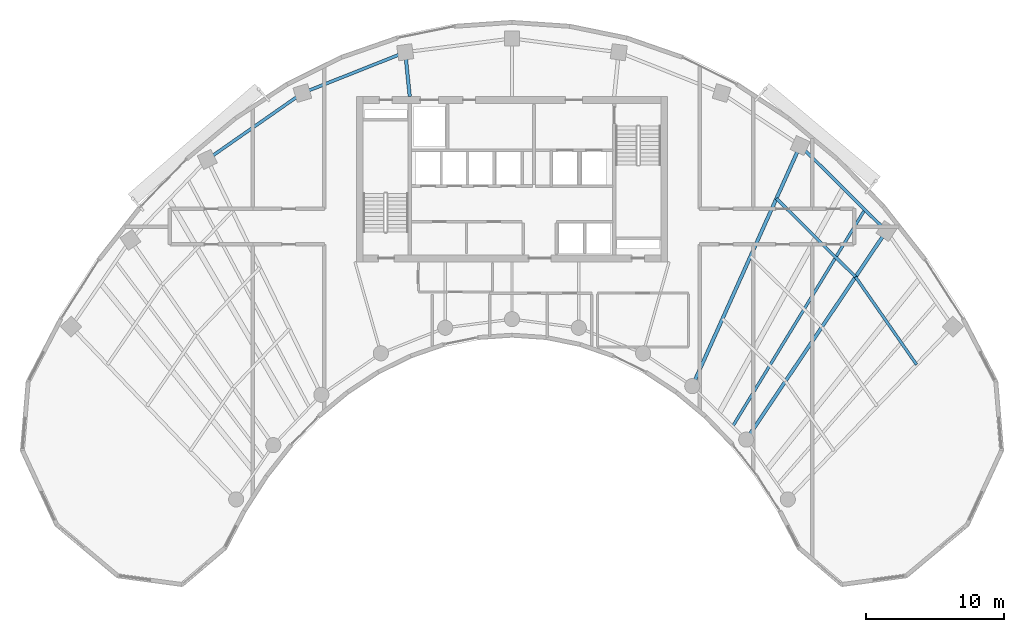
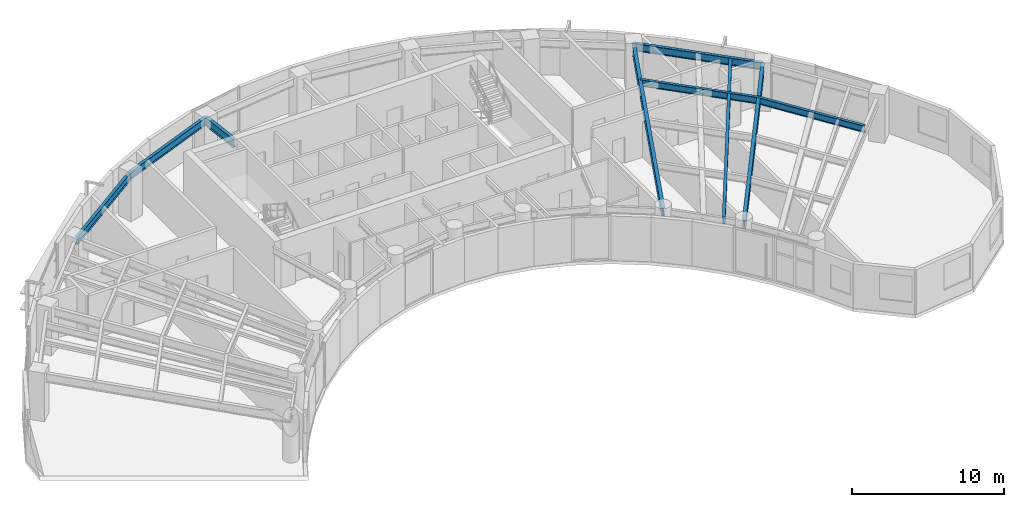
# One storey, part 4 of 13: 9 beams.
"""IFC4 building model written with IfcOpenShell, lengths in metres."""

from ifc_helpers import new_model, si_unit, direction, frame, origin, origin_2d, place, context, subcontext, project, spatial, i_section, extrude, source, transform, mapped, material, material_profile, profile_set, type_object, element, save


model = new_model("IFC4")

# Units and contexts
model_context = context("Model", 3, precision=1e-05, world=origin(), true_north=direction((0.0, 1.0)))
body_context = subcontext(model_context, "Body", "Model", "MODEL_VIEW")
ifc_project = project(units=[si_unit("LENGTHUNIT", "METRE"), si_unit("AREAUNIT", "SQUARE_METRE"), si_unit("VOLUMEUNIT", "CUBIC_METRE"), si_unit("PLANEANGLEUNIT", "RADIAN"), si_unit("MASSUNIT", "GRAM", prefix="KILO")], contexts=[model_context])

# Site, building, storey
site_placement = place(None, origin())
site = spatial("IfcSite", under=ifc_project, at=site_placement, CompositionType="ELEMENT")
building_placement = place(site_placement, origin())
building = spatial("IfcBuilding", under=site, at=building_placement, Name="Breltana Convention Tower", CompositionType="ELEMENT")
storey_placement = place(building_placement, frame((0.0, 0.0, 185.699951171875)))
storey = spatial("IfcBuildingStorey", under=building, at=storey_placement, Name="L45", CompositionType="ELEMENT", Elevation=185.699951171875)

# Beams
ifc_material = material(Name="Steel ASTM A992 Grade 50", Category="steel")
ifc_material_profile_1 = material_profile(ifc_material, i_section(OverallWidth=0.2099609375, OverallDepth=0.537109375, WebThickness=0.010986328125, FlangeThickness=0.017333984375, at=origin_2d()), Name="W21X68")
ifc_profile_set_1 = profile_set([ifc_material_profile_1], Name="Steel ASTM A992 Grade 50")
beam_type_1 = type_object("IfcBeamType", Name="BM-JSG-04", PredefinedType="JOIST", material=ifc_profile_set_1)
shared_shape_1 = source(origin(), body_context, "Body", "SweptSolid", [
    extrude(i_section(OverallWidth=0.2099609375, OverallDepth=0.537109375, WebThickness=0.010986328125, FlangeThickness=0.017333984375, at=origin_2d()), origin(), (0.0, 0.0, 1.0), 8.084716796875),
])
beam_1_placement = place(storey_placement, frame((67.188232421875, 64.79248046875, 3.3115234375), z_axis=(0.710105094548, -0.704095699956, 0.0), x_axis=(0.704095699956, 0.710105094548, 0.0)))
element("IfcBeam", 1, at=beam_1_placement, inside=storey, type_object=beam_type_1, Name="L45 Composite Floor Joist 09.3", PredefinedType="JOIST", context=body_context, shape_type="MappedRepresentation", body=[
    mapped(shared_shape_1, transform((0.0, 0.0, 0.0), scale=1.0)),
])
shared_shape_2 = source(origin(), body_context, "Body", "SweptSolid", [
    extrude(i_section(OverallWidth=0.2099609375, OverallDepth=0.537109375, WebThickness=0.010986328125, FlangeThickness=0.017333984375, at=origin_2d()), origin(), (0.0, 0.0, 1.0), 18.409423828125),
])
beam_2_placement = place(storey_placement, frame((64.017333984375, 48.263916015625, 3.3115234375), z_axis=(0.520682167606, 0.853750596098, 0.0), x_axis=(-0.853750596098, 0.520682167606, 0.0)))
element("IfcBeam", 2, at=beam_2_placement, inside=storey, type_object=beam_type_1, Name="L45 Quarter-Bay Radial Trimmer 09", PredefinedType="JOIST", context=body_context, shape_type="MappedRepresentation", body=[
    mapped(shared_shape_2, transform((0.0, 0.0, 0.0), scale=1.0)),
])
shared_shape_3 = source(origin(), body_context, "Body", "SweptSolid", [
    extrude(i_section(OverallWidth=0.2099609375, OverallDepth=0.537109375, WebThickness=0.010986328125, FlangeThickness=0.017333984375, at=origin_2d()), origin(), (0.0, 0.0, 1.0), 7.75390625),
])
beam_3_placement = place(storey_placement, frame((72.92919921875, 59.10009765625, 3.3115234375), z_axis=(0.57119271264, -0.820815987312, 0.0), x_axis=(0.820815987312, 0.57119271264, 0.0)))
element("IfcBeam", 3, at=beam_3_placement, inside=storey, type_object=beam_type_1, Name="L45 Composite Floor Joist 10.3", PredefinedType="JOIST", context=body_context, shape_type="MappedRepresentation", body=[
    mapped(shared_shape_3, transform((0.0, 0.0, 0.0), scale=1.0)),
])
ifc_material_profile_2 = material_profile(ifc_material, i_section(OverallWidth=0.25390625, OverallDepth=0.68798828125, WebThickness=0.01318359375, FlangeThickness=0.02099609375, at=origin_2d()), Name="W27X102")
ifc_profile_set_2 = profile_set([ifc_material_profile_2], Name="Steel ASTM A992 Grade 50")
beam_type_2 = type_object("IfcBeamType", Name="BM-RG-W27X102", PredefinedType="USERDEFINED", material=ifc_profile_set_2)
shared_shape_4 = source(origin(), body_context, "Body", "SweptSolid", [
    extrude(i_section(OverallWidth=0.25390625, OverallDepth=0.68798828125, WebThickness=0.01318359375, FlangeThickness=0.02099609375, at=origin_2d()), origin(), (0.0, 0.0, 1.0), 3.220947265625),
])
beam_4_placement = place(storey_placement, frame((40.580078125, 72.199951171875, 3.236083984375), z_axis=(-0.101492254858, 0.994836329355, 0.0), x_axis=(-0.994836329355, -0.101492254858, 0.0)))
element("IfcBeam", 4, at=beam_4_placement, inside=storey, type_object=beam_type_2, Name="L45 North Core Radial Girder R05", ObjectType="GIRDER", PredefinedType="USERDEFINED", context=body_context, shape_type="MappedRepresentation", body=[
    mapped(shared_shape_4, transform((0.0, 0.0, 0.0), scale=1.0)),
])
shared_shape_5 = source(origin(), body_context, "Body", "SweptSolid", [
    extrude(i_section(OverallWidth=0.25390625, OverallDepth=0.68798828125, WebThickness=0.01318359375, FlangeThickness=0.02099609375, at=origin_2d()), origin(), (0.0, 0.0, 1.0), 19.133544921875),
])
beam_5_placement = place(storey_placement, frame((61.08203125, 51.174560546875, 3.236083984375), z_axis=(0.409144564164, 0.912469575172, 0.0), x_axis=(-0.912469575172, 0.409144564164, 0.0)))
element("IfcBeam", 5, at=beam_5_placement, inside=storey, type_object=beam_type_2, Name="L45 Radial Floor Girder R09", ObjectType="GIRDER", PredefinedType="USERDEFINED", context=body_context, shape_type="MappedRepresentation", body=[
    mapped(shared_shape_5, transform((0.0, 0.0, 0.0), scale=1.0)),
])
shared_shape_6 = source(origin(), body_context, "Body", "SweptSolid", [
    extrude(i_section(OverallWidth=0.25390625, OverallDepth=0.68798828125, WebThickness=0.01318359375, FlangeThickness=0.02099609375, at=origin_2d()), origin(), (0.0, 0.0, 1.0), 18.236328125),
])
beam_6_placement = place(storey_placement, frame((64.995849609375, 47.293701171875, 3.236083984375), z_axis=(0.557730360975, 0.830022195153, 0.0), x_axis=(-0.830022195153, 0.557730360975, 0.0)))
element("IfcBeam", 6, at=beam_6_placement, inside=storey, type_object=beam_type_2, Name="L45 Radial Floor Girder R10", ObjectType="GIRDER", PredefinedType="USERDEFINED", context=body_context, shape_type="MappedRepresentation", body=[
    mapped(shared_shape_6, transform((0.0, 0.0, 0.0), scale=1.0)),
])
ifc_material_profile_3 = material_profile(ifc_material, i_section(OverallWidth=0.22802734375, OverallDepth=0.60791015625, WebThickness=0.01123046875, FlangeThickness=0.017333984375, at=origin_2d()), Name="W24X76")
ifc_profile_set_3 = profile_set([ifc_material_profile_3], Name="Steel ASTM A992 Grade 50")
beam_type_3 = type_object("IfcBeamType", Name="BM-SP-W24X76", PredefinedType="SPANDREL", material=ifc_profile_set_3)
shared_shape_7 = source(origin(), body_context, "Body", "SweptSolid", [
    extrude(i_section(OverallWidth=0.22802734375, OverallDepth=0.60791015625, WebThickness=0.01123046875, FlangeThickness=0.017333984375, at=origin_2d()), origin(), (0.0, 0.0, 1.0), 8.4169921875),
])
beam_7_placement = place(storey_placement, frame((25.8876953125, 67.626953125, 3.276123046875), z_axis=(0.820173800102, 0.572114444519, 0.0), x_axis=(-0.572114444519, 0.820173800102, 0.0)))
element("IfcBeam", 7, at=beam_7_placement, inside=storey, type_object=beam_type_3, Name="L45 Outer Spandrel Beam 03", PredefinedType="SPANDREL", context=body_context, shape_type="MappedRepresentation", body=[
    mapped(shared_shape_7, transform((0.0, 0.0, 0.0), scale=1.0)),
])
shared_shape_8 = source(origin(), body_context, "Body", "SweptSolid", [
    extrude(i_section(OverallWidth=0.22802734375, OverallDepth=0.60791015625, WebThickness=0.01123046875, FlangeThickness=0.017333984375, at=origin_2d()), origin(), (0.0, 0.0, 1.0), 8.028564453125),
])
beam_8_placement = place(storey_placement, frame((32.791015625, 72.4423828125, 3.276123046875), z_axis=(0.929459100394, 0.368925169507, 0.0), x_axis=(-0.368925169507, 0.929459100394, 0.0)))
element("IfcBeam", 8, at=beam_8_placement, inside=storey, type_object=beam_type_3, Name="L45 Outer Spandrel Beam 04", PredefinedType="SPANDREL", context=body_context, shape_type="MappedRepresentation", body=[
    mapped(shared_shape_8, transform((0.0, 0.0, 0.0), scale=1.0)),
])
shared_shape_9 = source(origin(), body_context, "Body", "SweptSolid", [
    extrude(i_section(OverallWidth=0.22802734375, OverallDepth=0.60791015625, WebThickness=0.01123046875, FlangeThickness=0.017333984375, at=origin_2d()), origin(), (0.0, 0.0, 1.0), 8.810302734375),
])
beam_9_placement = place(storey_placement, frame((68.910400390625, 68.63330078125, 3.276123046875), z_axis=(0.710120823582, -0.704079836322, 0.0), x_axis=(0.704079836322, 0.710120823582, 0.0)))
element("IfcBeam", 9, at=beam_9_placement, inside=storey, type_object=beam_type_3, Name="L45 Outer Spandrel Beam 09", PredefinedType="SPANDREL", context=body_context, shape_type="MappedRepresentation", body=[
    mapped(shared_shape_9, transform((0.0, 0.0, 0.0), scale=1.0)),
])

save(model, "model.ifc")
